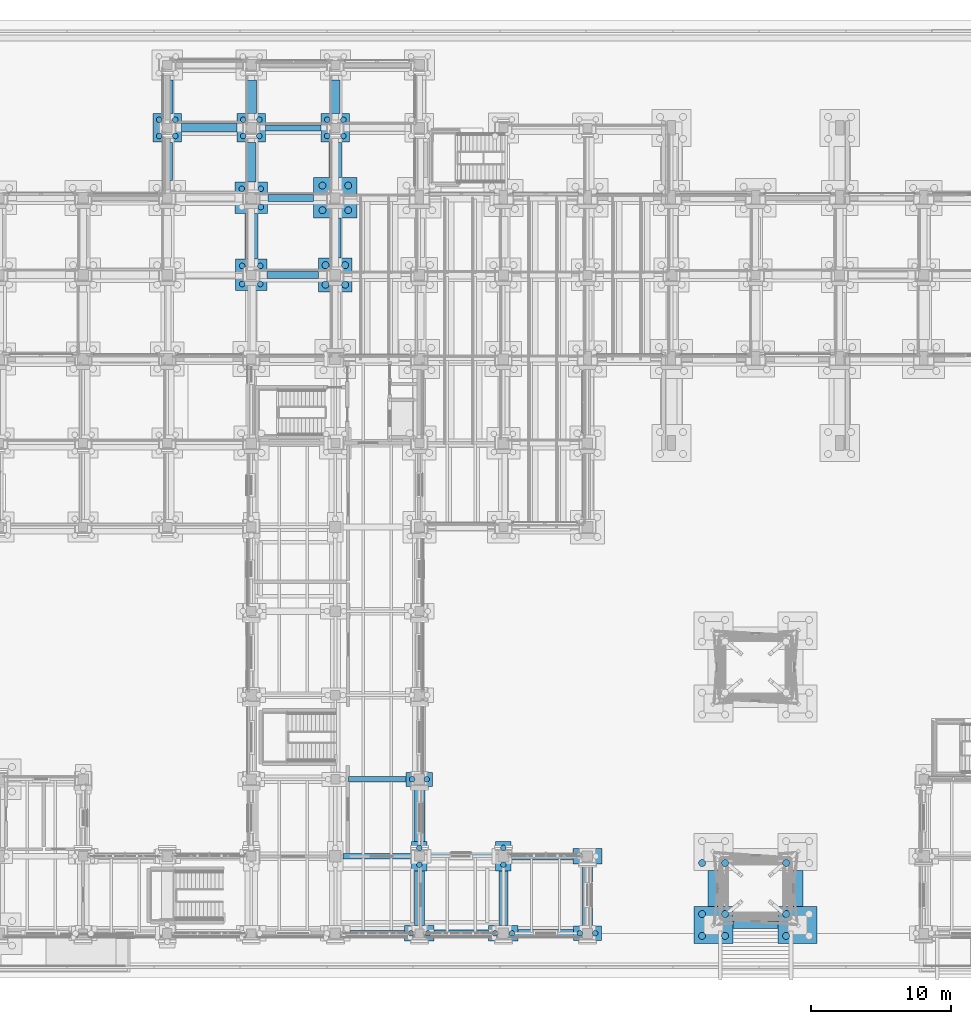
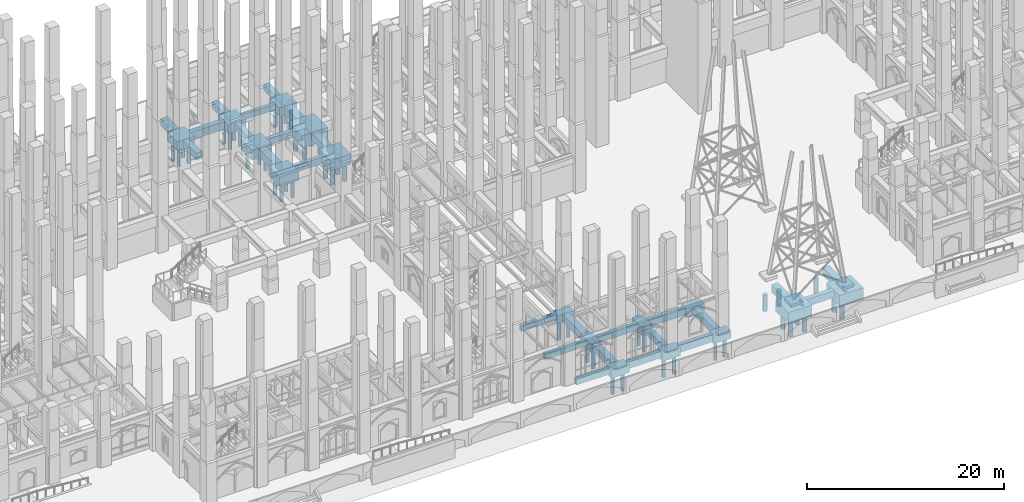
# One storey, part 6 of 135: 48 piles, 42 footings.
"""IFC4 building model written with IfcOpenShell, lengths in metres."""

from ifc_helpers import new_model, si_unit, direction, frame, origin, origin_2d, place, context, subcontext, project, spatial, polyline, rectangle, circle, outline, extrude, material, material_profile, profile_set, type_object, element, save


model = new_model("IFC4")

# Units and contexts
model_context = context("Model", 3, precision=1e-05, world=origin(), true_north=direction((0.0, 1.0)))
body_context = subcontext(model_context, "Body", "Model", "MODEL_VIEW")
ifc_project = project(units=[si_unit("LENGTHUNIT", "METRE"), si_unit("AREAUNIT", "SQUARE_METRE"), si_unit("VOLUMEUNIT", "CUBIC_METRE"), si_unit("PLANEANGLEUNIT", "RADIAN"), si_unit("MASSUNIT", "GRAM", prefix="KILO")], contexts=[model_context])

# Site, building, storey
site_placement = place(None, origin())
site = spatial("IfcSite", under=ifc_project, at=site_placement, CompositionType="ELEMENT")
building_placement = place(site_placement, origin())
building = spatial("IfcBuilding", under=site, at=building_placement, Name="Cumevento Cable Car Station", CompositionType="ELEMENT")
storey_placement = place(building_placement, origin())
storey = spatial("IfcBuildingStorey", under=building, at=storey_placement, Name="L01", CompositionType="ELEMENT", Elevation=0.0)

# Footings
ifc_material_1 = material(Name="Concrete C40/50", Category="concrete")
footing_type_1 = type_object("IfcFootingType", Name="Ground Beam GB-01 420x720", PredefinedType="FOOTING_BEAM", material=ifc_material_1)
footing_1_placement = place(storey_placement, frame((0.0, 0.0, -0.719970703125)))
element("IfcFooting", 1, at=footing_1_placement, inside=storey, type_object=footing_type_1, Name="Ground Tie Beam GB-01 #8", PredefinedType="FOOTING_BEAM", context=body_context, shape_type="SweptSolid", body=[
    extrude(outline(polyline([(65.052001953125, 3.7900390625), (68.947998046875, 3.7900390625), (68.947998046875, 4.2099609375), (65.052001953125, 4.2099609375), (65.052001953125, 3.7900390625)])), origin(), (0.0, 0.0, 1.0), 0.719970703125),
])
footing_2_placement = place(storey_placement, frame((0.0, 0.0, -0.719970703125)))
element("IfcFooting", 2, at=footing_2_placement, inside=storey, type_object=footing_type_1, Name="Ground Tie Beam GB-01 #20", PredefinedType="FOOTING_BEAM", context=body_context, shape_type="SweptSolid", body=[
    extrude(outline(polyline([(64.552001953125, 9.2900390625), (69.447998046875, 9.2900390625), (69.447998046875, 9.7099609375), (64.552001953125, 9.7099609375), (64.552001953125, 9.2900390625)])), origin(), (0.0, 0.0, 1.0), 0.719970703125),
])
footing_3_placement = place(storey_placement, frame((0.0, 0.0, -0.719970703125)))
element("IfcFooting", 3, at=footing_3_placement, inside=storey, type_object=footing_type_1, Name="Ground Tie Beam GB-01 #36", PredefinedType="FOOTING_BEAM", context=body_context, shape_type="SweptSolid", body=[
    extrude(outline(polyline([(64.951904296875, 14.7900390625), (69.048095703125, 14.7900390625), (69.048095703125, 15.2099609375), (64.951904296875, 15.2099609375), (64.951904296875, 14.7900390625)])), origin(), (0.0, 0.0, 1.0), 0.719970703125),
])
footing_4_placement = place(storey_placement, frame((0.0, 0.0, -0.719970703125)))
element("IfcFooting", 4, at=footing_4_placement, inside=storey, type_object=footing_type_1, Name="Ground Tie Beam GB-01 #152", PredefinedType="FOOTING_BEAM", context=body_context, shape_type="SweptSolid", body=[
    extrude(outline(polyline([(59.027099609375, 61.2900390625), (62.972900390625, 61.2900390625), (62.972900390625, 61.7099609375), (59.027099609375, 61.7099609375), (59.027099609375, 61.2900390625)])), origin(), (0.0, 0.0, 1.0), 0.719970703125),
])
ifc_material_2 = material(Name="Concrete C40/50", Category="concrete")
footing_type_2 = type_object("IfcFootingType", Name="Ground Beam GB-02 480x800", PredefinedType="FOOTING_BEAM", material=ifc_material_2)
footing_5_placement = place(storey_placement, frame((0.0, 0.0, -0.800048828125)))
element("IfcFooting", 5, at=footing_5_placement, inside=storey, type_object=footing_type_2, Name="Ground Tie Beam GB-02 #9", PredefinedType="FOOTING_BEAM", context=body_context, shape_type="SweptSolid", body=[
    extrude(outline(polyline([(71.052001953125, 3.760009765625), (74.947998046875, 3.760009765625), (74.947998046875, 4.239990234375), (71.052001953125, 4.239990234375), (71.052001953125, 3.760009765625)])), origin(), (0.0, 0.0, 1.0), 0.800048828125),
])
footing_6_placement = place(storey_placement, frame((0.0, 0.0, -0.800048828125)))
element("IfcFooting", 6, at=footing_6_placement, inside=storey, type_object=footing_type_2, Name="Ground Tie Beam GB-02 #21", PredefinedType="FOOTING_BEAM", context=body_context, shape_type="SweptSolid", body=[
    extrude(outline(polyline([(70.552001953125, 9.260009765625), (75.447998046875, 9.260009765625), (75.447998046875, 9.739990234375), (70.552001953125, 9.739990234375), (70.552001953125, 9.260009765625)])), origin(), (0.0, 0.0, 1.0), 0.800048828125),
])
footing_7_placement = place(storey_placement, frame((0.0, 0.0, -0.800048828125)))
element("IfcFooting", 7, at=footing_7_placement, inside=storey, type_object=footing_type_2, Name="Ground Tie Beam GB-02 #117", PredefinedType="FOOTING_BEAM", context=body_context, shape_type="SweptSolid", body=[
    extrude(outline(polyline([(59.126953125, 50.760009765625), (62.798095703125, 50.760009765625), (62.798095703125, 51.239990234375), (59.126953125, 51.239990234375), (59.126953125, 50.760009765625)])), origin(), (0.0, 0.0, 1.0), 0.800048828125),
])
footing_8_placement = place(storey_placement, frame((0.0, 0.0, -0.800048828125)))
element("IfcFooting", 8, at=footing_8_placement, inside=storey, type_object=footing_type_2, Name="Ground Tie Beam GB-02 #137", PredefinedType="FOOTING_BEAM", context=body_context, shape_type="SweptSolid", body=[
    extrude(outline(polyline([(59.177001953125, 56.260009765625), (62.447998046875, 56.260009765625), (62.447998046875, 56.739990234375), (59.177001953125, 56.739990234375), (59.177001953125, 56.260009765625)])), origin(), (0.0, 0.0, 1.0), 0.800048828125),
])
ifc_material_3 = material(Name="Concrete C40/50", Category="concrete")
footing_type_3 = type_object("IfcFootingType", Name="Ground Beam GB-03 540x880", PredefinedType="FOOTING_BEAM", material=ifc_material_3)
footing_9_placement = place(storey_placement, frame((0.0, 0.0, -0.8798828125)))
element("IfcFooting", 9, at=footing_9_placement, inside=storey, type_object=footing_type_3, Name="Ground Tie Beam GB-03 #10", PredefinedType="FOOTING_BEAM", context=body_context, shape_type="SweptSolid", body=[
    extrude(outline(polyline([(77.052001953125, 3.72998046875), (80.998046875, 3.72998046875), (80.998046875, 4.27001953125), (77.052001953125, 4.27001953125), (77.052001953125, 3.72998046875)])), origin(), (0.0, 0.0, 1.0), 0.8798828125),
])
footing_10_placement = place(storey_placement, frame((0.0, 0.0, -0.8798828125)))
element("IfcFooting", 10, at=footing_10_placement, inside=storey, type_object=footing_type_3, Name="Ground Tie Beam GB-03 #22", PredefinedType="FOOTING_BEAM", context=body_context, shape_type="SweptSolid", body=[
    extrude(outline(polyline([(76.552001953125, 9.22998046875), (80.947998046875, 9.22998046875), (80.947998046875, 9.77001953125), (76.552001953125, 9.77001953125), (76.552001953125, 9.22998046875)])), origin(), (0.0, 0.0, 1.0), 0.8798828125),
])
footing_11_placement = place(storey_placement, frame((0.0, 0.0, -0.8798828125)))
element("IfcFooting", 11, at=footing_11_placement, inside=storey, type_object=footing_type_3, Name="PYLON_S02 Tie Beam GB-03 #9", PredefinedType="FOOTING_BEAM", context=body_context, shape_type="SweptSolid", body=[
    extrude(outline(polyline([(92.402099609375, 4.330078125), (95.597900390625, 4.330078125), (95.597900390625, 4.8701171875), (92.402099609375, 4.8701171875), (92.402099609375, 4.330078125)])), origin(), (0.0, 0.0, 1.0), 0.8798828125),
])
ifc_material_4 = material(Name="Concrete C40/50", Category="concrete")
footing_type_4 = type_object("IfcFootingType", Name="Ground Beam GB-04 600x960", PredefinedType="FOOTING_BEAM", material=ifc_material_4)
footing_12_placement = place(storey_placement, frame((0.0, 0.0, -0.9599609375)))
element("IfcFooting", 12, at=footing_12_placement, inside=storey, type_object=footing_type_4, Name="Ground Tie Beam GB-04 #151", PredefinedType="FOOTING_BEAM", context=body_context, shape_type="SweptSolid", body=[
    extrude(outline(polyline([(53.027099609375, 61.199951171875), (56.972900390625, 61.199951171875), (56.972900390625, 61.800048828125), (53.027099609375, 61.800048828125), (53.027099609375, 61.199951171875)])), origin(), (0.0, 0.0, 1.0), 0.9599609375),
])

# Piles
ifc_material_5 = material(Name="Concrete C40/50", Category="concrete")
ifc_material_profile_1 = material_profile(ifc_material_5, circle(Radius=0.199951171875, at=origin_2d()), Name="PILE-D400")
ifc_profile_set_1 = profile_set([ifc_material_profile_1], Name="Concrete C40/50")
pile_type_1 = type_object("IfcPileType", Name="PILE-BORED-400", PredefinedType="BORED", material=ifc_profile_set_1)
for number, where, z_axis, x_axis, name in (
    (13, (51.419921875, 60.919921875, -1.10009765625), (0.0, 0.0, -1.0), (1.0, 0.0, 0.0), "Bored Pile PL-400 #195"),
    (14, (52.580078125, 60.919921875, -1.10009765625), (0.0, 0.0, -1.0), (1.0, 0.0, 0.0), "Bored Pile PL-400 #196"),
    (15, (51.419921875, 62.080078125, -1.10009765625), (0.0, 0.0, -1.0), (1.0, 0.0, 0.0), "Bored Pile PL-400 #197"),
    (16, (52.580078125, 62.080078125, -1.10009765625), (0.0, 0.0, -1.0), (1.0, 0.0, 0.0), "Bored Pile PL-400 #198"),
):
    element("IfcPile", number, at=place(storey_placement, frame(where, z_axis=z_axis, x_axis=x_axis)), inside=storey, type_object=pile_type_1, Name=name, PredefinedType="BORED", context=body_context, shape_type="SweptSolid", body=[
        extrude(circle(Radius=0.199951171875, at=origin_2d()), origin(), (0.0, 0.0, 1.0), 2.300048828125),
    ])
for number, where, z_axis, x_axis, name in (
    (17, (57.35009765625, 50.35009765625, -1.199951171875), (0.0, 0.0, -1.0), (1.0, 0.0, 0.0), "Bored Pile PL-400 #223"),
    (18, (58.64990234375, 50.35009765625, -1.199951171875), (0.0, 0.0, -1.0), (1.0, 0.0, 0.0), "Bored Pile PL-400 #224"),
    (19, (57.35009765625, 51.64990234375, -1.199951171875), (0.0, 0.0, -1.0), (1.0, 0.0, 0.0), "Bored Pile PL-400 #225"),
    (20, (58.64990234375, 51.64990234375, -1.199951171875), (0.0, 0.0, -1.0), (1.0, 0.0, 0.0), "Bored Pile PL-400 #226"),
):
    element("IfcPile", number, at=place(storey_placement, frame(where, z_axis=z_axis, x_axis=x_axis)), inside=storey, type_object=pile_type_1, Name=name, PredefinedType="BORED", context=body_context, shape_type="SweptSolid", body=[
        extrude(circle(Radius=0.199951171875, at=origin_2d()), origin(), (0.0, 0.0, 1.0), 2.199951171875),
    ])
for number, where, z_axis, x_axis, name in (
    (21, (58.679931640625, 55.85009765625, -1.219970703125), (0.0, 0.0, -1.0), (1.0, 0.0, 0.0), "Bored Pile PL-400 #228"),
    (22, (57.320068359375, 57.14990234375, -1.219970703125), (0.0, 0.0, -1.0), (1.0, 0.0, 0.0), "Bored Pile PL-400 #229"),
    (23, (58.679931640625, 57.14990234375, -1.219970703125), (0.0, 0.0, -1.0), (1.0, 0.0, 0.0), "Bored Pile PL-400 #230"),
):
    element("IfcPile", number, at=place(storey_placement, frame(where, z_axis=z_axis, x_axis=x_axis)), inside=storey, type_object=pile_type_1, Name=name, PredefinedType="BORED", context=body_context, shape_type="SweptSolid", body=[
        extrude(circle(Radius=0.199951171875, at=origin_2d()), origin(), (0.0, 0.0, 1.0), 2.179931640625),
    ])
for number, where, z_axis, x_axis, name in (
    (24, (57.419921875, 60.919921875, -1.10009765625), (0.0, 0.0, -1.0), (1.0, 0.0, 0.0), "Bored Pile PL-400 #231"),
    (25, (58.580078125, 60.919921875, -1.10009765625), (0.0, 0.0, -1.0), (1.0, 0.0, 0.0), "Bored Pile PL-400 #232"),
    (26, (57.419921875, 62.080078125, -1.10009765625), (0.0, 0.0, -1.0), (1.0, 0.0, 0.0), "Bored Pile PL-400 #233"),
    (27, (58.580078125, 62.080078125, -1.10009765625), (0.0, 0.0, -1.0), (1.0, 0.0, 0.0), "Bored Pile PL-400 #234"),
    (28, (63.419921875, 60.919921875, -1.10009765625), (0.0, 0.0, -1.0), (1.0, 0.0, 0.0), "Bored Pile PL-400 #267"),
    (29, (64.580078125, 60.919921875, -1.10009765625), (0.0, 0.0, -1.0), (1.0, 0.0, 0.0), "Bored Pile PL-400 #268"),
    (30, (63.419921875, 62.080078125, -1.10009765625), (0.0, 0.0, -1.0), (1.0, 0.0, 0.0), "Bored Pile PL-400 #269"),
    (31, (64.580078125, 62.080078125, -1.10009765625), (0.0, 0.0, -1.0), (1.0, 0.0, 0.0), "Bored Pile PL-400 #270"),
):
    element("IfcPile", number, at=place(storey_placement, frame(where, z_axis=z_axis, x_axis=x_axis)), inside=storey, type_object=pile_type_1, Name=name, PredefinedType="BORED", context=body_context, shape_type="SweptSolid", body=[
        extrude(circle(Radius=0.199951171875, at=origin_2d()), origin(), (0.0, 0.0, 1.0), 2.300048828125),
    ])
for number, where, z_axis, x_axis, name in (
    (32, (69.39990234375, 4.0, -1.050048828125), (0.0, 0.0, -1.0), (1.0, 0.0, 0.0), "Bored Pile PL-400 #275"),
    (33, (70.60009765625, 4.0, -1.050048828125), (0.0, 0.0, -1.0), (1.0, 0.0, 0.0), "Bored Pile PL-400 #276"),
    (34, (70.0, 8.89990234375, -1.050048828125), (0.0, 0.0, -1.0), (1.0, 0.0, 0.0), "Bored Pile PL-400 #277"),
    (35, (70.0, 10.10009765625, -1.050048828125), (0.0, 0.0, -1.0), (1.0, 0.0, 0.0), "Bored Pile PL-400 #278"),
):
    element("IfcPile", number, at=place(storey_placement, frame(where, z_axis=z_axis, x_axis=x_axis)), inside=storey, type_object=pile_type_1, Name=name, PredefinedType="BORED", context=body_context, shape_type="SweptSolid", body=[
        extrude(circle(Radius=0.199951171875, at=origin_2d()), origin(), (0.0, 0.0, 1.0), 2.35009765625),
    ])
for number, where, z_axis, x_axis, name in (
    (36, (69.47998046875, 15.0, -0.949951171875), (0.0, 0.0, -1.0), (1.0, 0.0, 0.0), "Bored Pile PL-400 #279"),
    (37, (70.52001953125, 15.0, -0.949951171875), (0.0, 0.0, -1.0), (1.0, 0.0, 0.0), "Bored Pile PL-400 #280"),
):
    element("IfcPile", number, at=place(storey_placement, frame(where, z_axis=z_axis, x_axis=x_axis)), inside=storey, type_object=pile_type_1, Name=name, PredefinedType="BORED", context=body_context, shape_type="SweptSolid", body=[
        extrude(circle(Radius=0.199951171875, at=origin_2d()), origin(), (0.0, 0.0, 1.0), 2.449951171875),
    ])
for number, where, z_axis, x_axis, name in (
    (38, (75.39990234375, 4.0, -1.050048828125), (0.0, 0.0, -1.0), (1.0, 0.0, 0.0), "Bored Pile PL-400 #313"),
    (39, (76.60009765625, 4.0, -1.050048828125), (0.0, 0.0, -1.0), (1.0, 0.0, 0.0), "Bored Pile PL-400 #314"),
    (40, (76.0, 8.89990234375, -1.050048828125), (0.0, 0.0, -1.0), (1.0, 0.0, 0.0), "Bored Pile PL-400 #315"),
    (41, (76.0, 10.10009765625, -1.050048828125), (0.0, 0.0, -1.0), (1.0, 0.0, 0.0), "Bored Pile PL-400 #316"),
):
    element("IfcPile", number, at=place(storey_placement, frame(where, z_axis=z_axis, x_axis=x_axis)), inside=storey, type_object=pile_type_1, Name=name, PredefinedType="BORED", context=body_context, shape_type="SweptSolid", body=[
        extrude(circle(Radius=0.199951171875, at=origin_2d()), origin(), (0.0, 0.0, 1.0), 2.35009765625),
    ])
for number, where, z_axis, x_axis, name in (
    (42, (81.449951171875, 4.0, -1.0), (0.0, 0.0, -1.0), (1.0, 0.0, 0.0), "Bored Pile PL-400 #337"),
    (43, (82.550048828125, 4.0, -1.0), (0.0, 0.0, -1.0), (1.0, 0.0, 0.0), "Bored Pile PL-400 #338"),
):
    element("IfcPile", number, at=place(storey_placement, frame(where, z_axis=z_axis, x_axis=x_axis)), inside=storey, type_object=pile_type_1, Name=name, PredefinedType="BORED", context=body_context, shape_type="SweptSolid", body=[
        extrude(circle(Radius=0.199951171875, at=origin_2d()), origin(), (0.0, 0.0, 1.0), 2.39990234375),
    ])
ifc_material_6 = material(Name="Concrete C40/50", Category="concrete")
ifc_material_profile_2 = material_profile(ifc_material_6, circle(Radius=0.25, at=origin_2d()), Name="PILE-D500")
ifc_profile_set_2 = profile_set([ifc_material_profile_2], Name="Concrete C40/50")
pile_type_2 = type_object("IfcPileType", Name="PILE-BORED-500", PredefinedType="BORED", material=ifc_profile_set_2)
for number, where, z_axis, x_axis, name in (
    (44, (63.300048828125, 50.300048828125, -1.25), (0.0, 0.0, -1.0), (1.0, 0.0, 0.0), "Bored Pile PL-500 #259"),
    (45, (64.699951171875, 50.300048828125, -1.25), (0.0, 0.0, -1.0), (1.0, 0.0, 0.0), "Bored Pile PL-500 #260"),
    (46, (63.300048828125, 51.699951171875, -1.25), (0.0, 0.0, -1.0), (1.0, 0.0, 0.0), "Bored Pile PL-500 #261"),
    (47, (64.699951171875, 51.699951171875, -1.25), (0.0, 0.0, -1.0), (1.0, 0.0, 0.0), "Bored Pile PL-500 #262"),
):
    element("IfcPile", number, at=place(storey_placement, frame(where, z_axis=z_axis, x_axis=x_axis)), inside=storey, type_object=pile_type_2, Name=name, PredefinedType="BORED", context=body_context, shape_type="SweptSolid", body=[
        extrude(circle(Radius=0.25, at=origin_2d()), origin(), (0.0, 0.0, 1.0), 2.14990234375),
    ])
for number, where, z_axis, x_axis, name in (
    (48, (63.080078125, 55.6201171875, -1.5), (0.0, 0.0, -1.0), (1.0, 0.0, 0.0), "Bored Pile PL-500 #263"),
    (49, (64.919921875, 55.6201171875, -1.5), (0.0, 0.0, -1.0), (1.0, 0.0, 0.0), "Bored Pile PL-500 #264"),
    (50, (63.080078125, 57.3798828125, -1.5), (0.0, 0.0, -1.0), (1.0, 0.0, 0.0), "Bored Pile PL-500 #265"),
    (51, (64.919921875, 57.3798828125, -1.5), (0.0, 0.0, -1.0), (1.0, 0.0, 0.0), "Bored Pile PL-500 #266"),
):
    element("IfcPile", number, at=place(storey_placement, frame(where, z_axis=z_axis, x_axis=x_axis)), inside=storey, type_object=pile_type_2, Name=name, PredefinedType="BORED", context=body_context, shape_type="SweptSolid", body=[
        extrude(circle(Radius=0.25, at=origin_2d()), origin(), (0.0, 0.0, 1.0), 1.89990234375),
    ])
for number, where, z_axis, x_axis, name in (
    (52, (90.179931640625, 3.820068359375, -1.3798828125), (0.0, 0.0, -1.0), (1.0, 0.0, 0.0), "Bored Pile PL-500 Ext #81"),
    (53, (91.820068359375, 3.820068359375, -1.3798828125), (0.0, 0.0, -1.0), (1.0, 0.0, 0.0), "Bored Pile PL-500 Ext #82"),
    (54, (90.179931640625, 5.3798828125, -1.3798828125), (0.0, 0.0, -1.0), (1.0, 0.0, 0.0), "Bored Pile PL-500 Ext #83"),
    (55, (91.820068359375, 5.3798828125, -1.3798828125), (0.0, 0.0, -1.0), (1.0, 0.0, 0.0), "Bored Pile PL-500 Ext #84"),
    (56, (90.179931640625, 9.02001953125, -1.3798828125), (0.0, 0.0, -1.0), (1.0, 0.0, 0.0), "Bored Pile PL-500 Ext #85"),
    (57, (91.820068359375, 9.02001953125, -1.3798828125), (0.0, 0.0, -1.0), (1.0, 0.0, 0.0), "Bored Pile PL-500 Ext #86"),
    (58, (96.179931640625, 3.820068359375, -1.3798828125), (0.0, 0.0, -1.0), (1.0, 0.0, 0.0), "Bored Pile PL-500 Ext #89"),
    (59, (96.179931640625, 5.3798828125, -1.3798828125), (0.0, 0.0, -1.0), (1.0, 0.0, 0.0), "Bored Pile PL-500 Ext #91"),
    (60, (96.179931640625, 9.02001953125, -1.3798828125), (0.0, 0.0, -1.0), (1.0, 0.0, 0.0), "Bored Pile PL-500 Ext #93"),
):
    element("IfcPile", number, at=place(storey_placement, frame(where, z_axis=z_axis, x_axis=x_axis)), inside=storey, type_object=pile_type_2, Name=name, PredefinedType="BORED", context=body_context, shape_type="SweptSolid", body=[
        extrude(circle(Radius=0.25, at=origin_2d()), origin(), (0.0, 0.0, 1.0), 2.02001953125),
    ])

# Footings
ifc_material_7 = material(Name="Concrete C40/50", Category="concrete")
footing_type_5 = type_object("IfcFootingType", Name="Pile Cap PC-01 1900x1000x950", PredefinedType="PILE_CAP", material=ifc_material_7)
footing_13_placement = place(storey_placement, frame((70.0, 15.0, -0.9501953125), z_axis=(0.0, 0.0, 1.0), x_axis=(1.0, 0.0, 0.0)))
element("IfcFooting", 61, at=footing_13_placement, inside=storey, type_object=footing_type_5, Name="Pile Cap PC-01 at (70.0,15.0)", PredefinedType="PILE_CAP", context=body_context, shape_type="SweptSolid", body=[
    extrude(rectangle(XDim=1.89990234375, YDim=1.0, at=origin_2d()), origin(), (0.0, 0.0, 1.0), 0.949951171875),
])
ifc_material_8 = material(Name="Concrete C40/50", Category="concrete")
footing_type_6 = type_object("IfcFootingType", Name="Pile Cap PC-02 2000x1050x1000", PredefinedType="PILE_CAP", material=ifc_material_8)
footing_14_placement = place(storey_placement, frame((82.0, 4.0, -1.0), z_axis=(0.0, 0.0, 1.0), x_axis=(1.0, 0.0, 0.0)))
element("IfcFooting", 62, at=footing_14_placement, inside=storey, type_object=footing_type_6, Name="Pile Cap PC-02 at (82.0,4.0)", PredefinedType="PILE_CAP", context=body_context, shape_type="SweptSolid", body=[
    extrude(rectangle(XDim=2.0, YDim=1.050048828125, at=origin_2d()), origin(), (0.0, 0.0, 1.0), 1.0),
])
ifc_material_9 = material(Name="Concrete C40/50", Category="concrete")
footing_type_7 = type_object("IfcFootingType", Name="Pile Cap PC-03 2100x1100x1050", PredefinedType="PILE_CAP", material=ifc_material_9)
for number, where, z_axis, x_axis, name in (
    (63, (70.0, 4.0, -1.0498046875), (0.0, 0.0, 1.0), (1.0, 0.0, 0.0), "Pile Cap PC-03 at (70.0,4.0)"),
    (64, (76.0, 4.0, -1.0498046875), (0.0, 0.0, 1.0), (1.0, 0.0, 0.0), "Pile Cap PC-03 at (76.0,4.0)"),
    (65, (82.0, 9.5, -1.0498046875), (0.0, 0.0, 1.0), (1.0, 0.0, 0.0), "Pile Cap PC-03 at (82.0,9.5)"),
):
    element("IfcFooting", number, at=place(storey_placement, frame(where, z_axis=z_axis, x_axis=x_axis)), inside=storey, type_object=footing_type_7, Name=name, PredefinedType="PILE_CAP", context=body_context, shape_type="SweptSolid", body=[
        extrude(rectangle(XDim=2.10009765625, YDim=1.10009765625, at=origin_2d()), origin(), (0.0, 0.0, 1.0), 1.050048828125),
    ])
ifc_material_10 = material(Name="Concrete C40/50", Category="concrete")
footing_type_8 = type_object("IfcFootingType", Name="Pile Cap PC-04 1100x2100x1050", PredefinedType="PILE_CAP", material=ifc_material_10)
for number, where, z_axis, x_axis, name in (
    (66, (70.0, 9.5, -1.0498046875), (0.0, 0.0, 1.0), (1.0, 0.0, 0.0), "Pile Cap PC-04 at (70.0,9.5)"),
    (67, (76.0, 9.5, -1.0498046875), (0.0, 0.0, 1.0), (1.0, 0.0, 0.0), "Pile Cap PC-04 at (76.0,9.5)"),
):
    element("IfcFooting", number, at=place(storey_placement, frame(where, z_axis=z_axis, x_axis=x_axis)), inside=storey, type_object=footing_type_8, Name=name, PredefinedType="PILE_CAP", context=body_context, shape_type="SweptSolid", body=[
        extrude(rectangle(XDim=1.10009765625, YDim=2.10009765625, at=origin_2d()), origin(), (0.0, 0.0, 1.0), 1.050048828125),
    ])
ifc_material_11 = material(Name="Concrete C40/50", Category="concrete")
footing_type_9 = type_object("IfcFootingType", Name="Pile Cap PC-05 2050x2050x1100", PredefinedType="PILE_CAP", material=ifc_material_11)
for number, where, z_axis, x_axis, name in (
    (68, (52.0, 61.5, -1.10009765625), (0.0, 0.0, 1.0), (1.0, 0.0, 0.0), "Pile Cap PC-05 at (52.0,61.5)"),
    (69, (58.0, 61.5, -1.10009765625), (0.0, 0.0, 1.0), (1.0, 0.0, 0.0), "Pile Cap PC-05 at (58.0,61.5)"),
    (70, (64.0, 61.5, -1.10009765625), (0.0, 0.0, 1.0), (1.0, 0.0, 0.0), "Pile Cap PC-05 at (64.0,61.5)"),
):
    element("IfcFooting", number, at=place(storey_placement, frame(where, z_axis=z_axis, x_axis=x_axis)), inside=storey, type_object=footing_type_9, Name=name, PredefinedType="PILE_CAP", context=body_context, shape_type="SweptSolid", body=[
        extrude(rectangle(XDim=2.050048828125, YDim=2.050048828125, at=origin_2d()), origin(), (0.0, 0.0, 1.0), 1.10009765625),
    ])
ifc_material_12 = material(Name="Concrete C40/50", Category="concrete")
footing_type_10 = type_object("IfcFootingType", Name="Pile Cap PC-07 2250x2250x1200", PredefinedType="PILE_CAP", material=ifc_material_12)
footing_15_placement = place(storey_placement, frame((58.0, 51.0, -1.2001953125), z_axis=(0.0, 0.0, 1.0), x_axis=(1.0, 0.0, 0.0)))
element("IfcFooting", 71, at=footing_15_placement, inside=storey, type_object=footing_type_10, Name="Pile Cap PC-07 at (58.0,51.0)", PredefinedType="PILE_CAP", context=body_context, shape_type="SweptSolid", body=[
    extrude(rectangle(XDim=2.25, YDim=2.25, at=origin_2d()), origin(), (0.0, 0.0, 1.0), 1.199951171875),
])
ifc_material_13 = material(Name="Concrete C40/50", Category="concrete")
footing_type_11 = type_object("IfcFootingType", Name="Pile Cap PC-08 2350x2250x1220", PredefinedType="PILE_CAP", material=ifc_material_13)
footing_16_placement = place(storey_placement, frame((58.0, 56.5, -1.22021484375), z_axis=(0.0, 0.0, 1.0), x_axis=(1.0, 0.0, 0.0)))
element("IfcFooting", 72, at=footing_16_placement, inside=storey, type_object=footing_type_11, Name="Pile Cap PC-08 at (58.0,56.5)", PredefinedType="PILE_CAP", context=body_context, shape_type="SweptSolid", body=[
    extrude(rectangle(XDim=2.35009765625, YDim=2.25, at=origin_2d()), origin(), (0.0, 0.0, 1.0), 1.219970703125),
])
ifc_material_14 = material(Name="Concrete C40/50", Category="concrete")
footing_type_12 = type_object("IfcFootingType", Name="Pile Cap PC-09 2400x2400x1250", PredefinedType="PILE_CAP", material=ifc_material_14)
footing_17_placement = place(storey_placement, frame((64.0, 51.0, -1.25), z_axis=(0.0, 0.0, 1.0), x_axis=(1.0, 0.0, 0.0)))
element("IfcFooting", 73, at=footing_17_placement, inside=storey, type_object=footing_type_12, Name="Pile Cap PC-09 at (64.0,51.0)", PredefinedType="PILE_CAP", context=body_context, shape_type="SweptSolid", body=[
    extrude(rectangle(XDim=2.39990234375, YDim=2.39990234375, at=origin_2d()), origin(), (0.0, 0.0, 1.0), 1.25),
])
ifc_material_15 = material(Name="Concrete C40/50", Category="concrete")
footing_type_13 = type_object("IfcFootingType", Name="Pile Cap PC-13 2800x2650x1380", PredefinedType="PILE_CAP", material=ifc_material_15)
for number, where, z_axis, x_axis, name in (
    (74, (91.0, 4.60009765625, -1.3798828125), (0.0, 0.0, 1.0), (1.0, 0.0, 0.0), "Pile Cap PC-13 at (91.0,4.6)"),
    (75, (97.0, 4.60009765625, -1.3798828125), (0.0, 0.0, 1.0), (1.0, 0.0, 0.0), "Pile Cap PC-13 at (97.0,4.6)"),
):
    element("IfcFooting", number, at=place(storey_placement, frame(where, z_axis=z_axis, x_axis=x_axis)), inside=storey, type_object=footing_type_13, Name=name, PredefinedType="PILE_CAP", context=body_context, shape_type="SweptSolid", body=[
        extrude(rectangle(XDim=2.800048828125, YDim=2.64990234375, at=origin_2d()), origin(), (0.0, 0.0, 1.0), 1.3798828125),
    ])
ifc_material_16 = material(Name="Concrete C40/50", Category="concrete")
footing_type_14 = type_object("IfcFootingType", Name="Pile Cap PC-16 3100x2900x1500", PredefinedType="PILE_CAP", material=ifc_material_16)
footing_18_placement = place(storey_placement, frame((64.0, 56.5, -1.5), z_axis=(0.0, 0.0, 1.0), x_axis=(1.0, 0.0, 0.0)))
element("IfcFooting", 76, at=footing_18_placement, inside=storey, type_object=footing_type_14, Name="Pile Cap PC-16 at (64.0,56.5)", PredefinedType="PILE_CAP", context=body_context, shape_type="SweptSolid", body=[
    extrude(rectangle(XDim=3.10009765625, YDim=2.89990234375, at=origin_2d()), origin(), (0.0, 0.0, 1.0), 1.5),
])
ifc_material_17 = material(Name="Concrete C40/50", Category="concrete")
footing_type_15 = type_object("IfcFootingType", Name="Strip Footing SF-01 640x780", PredefinedType="STRIP_FOOTING", material=ifc_material_17)
footing_19_placement = place(storey_placement, frame((0.0, 0.0, -0.780029296875)))
element("IfcFooting", 77, at=footing_19_placement, inside=storey, type_object=footing_type_15, Name="Strip Footing SF-01 #216", PredefinedType="STRIP_FOOTING", context=body_context, shape_type="SweptSolid", body=[
    extrude(outline(polyline([(57.679931640625, 57.626953125), (58.320068359375, 57.626953125), (58.320068359375, 60.472900390625), (57.679931640625, 60.472900390625), (57.679931640625, 57.626953125)])), origin(), (0.0, 0.0, 1.0), 0.780029296875),
])
footing_20_placement = place(storey_placement, frame((0.0, 0.0, -0.780029296875)))
element("IfcFooting", 78, at=footing_20_placement, inside=storey, type_object=footing_type_15, Name="Strip Footing SF-01 #228", PredefinedType="STRIP_FOOTING", context=body_context, shape_type="SweptSolid", body=[
    extrude(outline(polyline([(63.679931640625, 62.527099609375), (64.320068359375, 62.527099609375), (64.320068359375, 64.923095703125), (63.679931640625, 64.923095703125), (63.679931640625, 62.527099609375)])), origin(), (0.0, 0.0, 1.0), 0.780029296875),
])
footing_21_placement = place(storey_placement, frame((0.0, 0.0, -0.780029296875)))
element("IfcFooting", 79, at=footing_21_placement, inside=storey, type_object=footing_type_15, Name="Strip Footing SF-01 #240", PredefinedType="STRIP_FOOTING", context=body_context, shape_type="SweptSolid", body=[
    extrude(outline(polyline([(75.679931640625, 4.552001953125), (76.320068359375, 4.552001953125), (76.320068359375, 8.447998046875), (75.679931640625, 8.447998046875), (75.679931640625, 4.552001953125)])), origin(), (0.0, 0.0, 1.0), 0.780029296875),
])
ifc_material_18 = material(Name="Concrete C40/50", Category="concrete")
footing_type_16 = type_object("IfcFootingType", Name="Strip Footing SF-02 720x860", PredefinedType="STRIP_FOOTING", material=ifc_material_18)
footing_22_placement = place(storey_placement, frame((0.0, 0.0, -0.860107421875)))
element("IfcFooting", 80, at=footing_22_placement, inside=storey, type_object=footing_type_16, Name="Strip Footing SF-02 #205", PredefinedType="STRIP_FOOTING", context=body_context, shape_type="SweptSolid", body=[
    extrude(outline(polyline([(51.639892578125, 57.751953125), (52.360107421875, 57.751953125), (52.360107421875, 60.472900390625), (51.639892578125, 60.472900390625), (51.639892578125, 57.751953125)])), origin(), (0.0, 0.0, 1.0), 0.860107421875),
])
footing_23_placement = place(storey_placement, frame((0.0, 0.0, -0.860107421875)))
element("IfcFooting", 81, at=footing_23_placement, inside=storey, type_object=footing_type_16, Name="Strip Footing SF-02 #217", PredefinedType="STRIP_FOOTING", context=body_context, shape_type="SweptSolid", body=[
    extrude(outline(polyline([(57.639892578125, 62.527099609375), (58.360107421875, 62.527099609375), (58.360107421875, 64.923095703125), (57.639892578125, 64.923095703125), (57.639892578125, 62.527099609375)])), origin(), (0.0, 0.0, 1.0), 0.860107421875),
])
footing_24_placement = place(storey_placement, frame((0.0, 0.0, -0.860107421875)))
element("IfcFooting", 82, at=footing_24_placement, inside=storey, type_object=footing_type_16, Name="Strip Footing SF-02 #229", PredefinedType="STRIP_FOOTING", context=body_context, shape_type="SweptSolid", body=[
    extrude(outline(polyline([(69.639892578125, 4.552001953125), (70.360107421875, 4.552001953125), (70.360107421875, 8.447998046875), (69.639892578125, 8.447998046875), (69.639892578125, 4.552001953125)])), origin(), (0.0, 0.0, 1.0), 0.860107421875),
])
footing_25_placement = place(storey_placement, frame((0.0, 0.0, -0.860107421875)))
element("IfcFooting", 83, at=footing_25_placement, inside=storey, type_object=footing_type_16, Name="Strip Footing SF-02 #245", PredefinedType="STRIP_FOOTING", context=body_context, shape_type="SweptSolid", body=[
    extrude(outline(polyline([(81.639892578125, 4.527099609375), (82.360107421875, 4.527099609375), (82.360107421875, 8.947998046875), (81.639892578125, 8.947998046875), (81.639892578125, 4.527099609375)])), origin(), (0.0, 0.0, 1.0), 0.860107421875),
])
ifc_material_19 = material(Name="Concrete C40/50", Category="concrete")
footing_type_17 = type_object("IfcFootingType", Name="Strip Footing SF-03 800x940", PredefinedType="STRIP_FOOTING", material=ifc_material_19)
footing_26_placement = place(storey_placement, frame((0.0, 0.0, -0.93994140625)))
element("IfcFooting", 84, at=footing_26_placement, inside=storey, type_object=footing_type_17, Name="Strip Footing SF-03 #206", PredefinedType="STRIP_FOOTING", context=body_context, shape_type="SweptSolid", body=[
    extrude(outline(polyline([(51.60009765625, 62.527099609375), (52.39990234375, 62.527099609375), (52.39990234375, 64.923095703125), (51.60009765625, 64.923095703125), (51.60009765625, 62.527099609375)])), origin(), (0.0, 0.0, 1.0), 0.93994140625),
])
footing_27_placement = place(storey_placement, frame((0.0, 0.0, -0.93994140625)))
element("IfcFooting", 85, at=footing_27_placement, inside=storey, type_object=footing_type_17, Name="Strip Footing SF-03 #226", PredefinedType="STRIP_FOOTING", context=body_context, shape_type="SweptSolid", body=[
    extrude(outline(polyline([(63.60009765625, 52.201904296875), (64.39990234375, 52.201904296875), (64.39990234375, 55.048095703125), (63.60009765625, 55.048095703125), (63.60009765625, 52.201904296875)])), origin(), (0.0, 0.0, 1.0), 0.93994140625),
])
footing_28_placement = place(storey_placement, frame((0.0, 0.0, -0.93994140625)))
element("IfcFooting", 86, at=footing_28_placement, inside=storey, type_object=footing_type_17, Name="Strip Footing SF-03 #230", PredefinedType="STRIP_FOOTING", context=body_context, shape_type="SweptSolid", body=[
    extrude(outline(polyline([(69.60009765625, 10.552001953125), (70.39990234375, 10.552001953125), (70.39990234375, 14.498046875), (69.60009765625, 14.498046875), (69.60009765625, 10.552001953125)])), origin(), (0.0, 0.0, 1.0), 0.93994140625),
])
footing_29_placement = place(storey_placement, frame((0.0, 0.0, -0.93994140625)))
element("IfcFooting", 87, at=footing_29_placement, inside=storey, type_object=footing_type_17, Name="PYLON_S02 Tie Footing SF-03 #11", PredefinedType="STRIP_FOOTING", context=body_context, shape_type="SweptSolid", body=[
    extrude(outline(polyline([(90.60009765625, 5.927001953125), (91.39990234375, 5.927001953125), (91.39990234375, 8.472900390625), (90.60009765625, 8.472900390625), (90.60009765625, 5.927001953125)])), origin(), (0.0, 0.0, 1.0), 0.93994140625),
])
footing_30_placement = place(storey_placement, frame((0.0, 0.0, -0.93994140625)))
element("IfcFooting", 88, at=footing_30_placement, inside=storey, type_object=footing_type_17, Name="PYLON_S02 Tie Footing SF-03 #12", PredefinedType="STRIP_FOOTING", context=body_context, shape_type="SweptSolid", body=[
    extrude(outline(polyline([(96.60009765625, 5.927001953125), (97.39990234375, 5.927001953125), (97.39990234375, 8.472900390625), (96.60009765625, 8.472900390625), (96.60009765625, 5.927001953125)])), origin(), (0.0, 0.0, 1.0), 0.93994140625),
])
ifc_material_20 = material(Name="Concrete C40/50", Category="concrete")
footing_type_18 = type_object("IfcFootingType", Name="Strip Footing SF-04 880x1020", PredefinedType="STRIP_FOOTING", material=ifc_material_20)
footing_31_placement = place(storey_placement, frame((0.0, 0.0, -1.02001953125)))
element("IfcFooting", 89, at=footing_31_placement, inside=storey, type_object=footing_type_18, Name="Strip Footing SF-04 #215", PredefinedType="STRIP_FOOTING", context=body_context, shape_type="SweptSolid", body=[
    extrude(outline(polyline([(57.56005859375, 52.126953125), (58.43994140625, 52.126953125), (58.43994140625, 55.373046875), (57.56005859375, 55.373046875), (57.56005859375, 52.126953125)])), origin(), (0.0, 0.0, 1.0), 1.02001953125),
])
footing_32_placement = place(storey_placement, frame((0.0, 0.0, -1.02001953125)))
element("IfcFooting", 90, at=footing_32_placement, inside=storey, type_object=footing_type_18, Name="Strip Footing SF-04 #227", PredefinedType="STRIP_FOOTING", context=body_context, shape_type="SweptSolid", body=[
    extrude(outline(polyline([(63.56005859375, 57.951904296875), (64.43994140625, 57.951904296875), (64.43994140625, 60.472900390625), (63.56005859375, 60.472900390625), (63.56005859375, 57.951904296875)])), origin(), (0.0, 0.0, 1.0), 1.02001953125),
])

save(model, "model.ifc")
